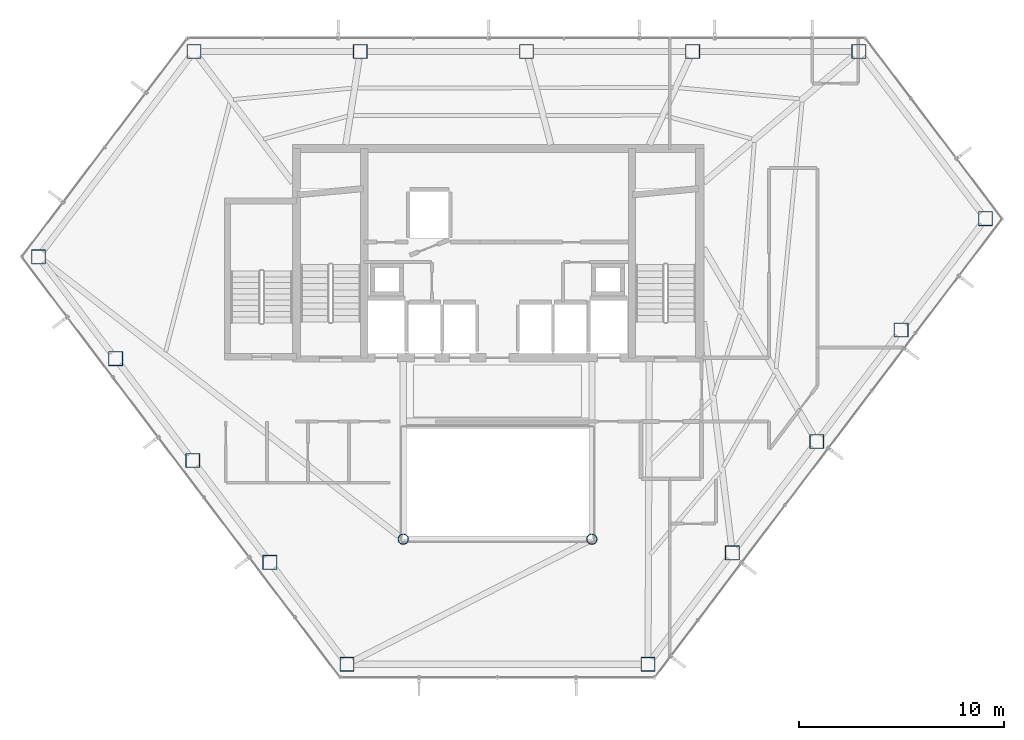
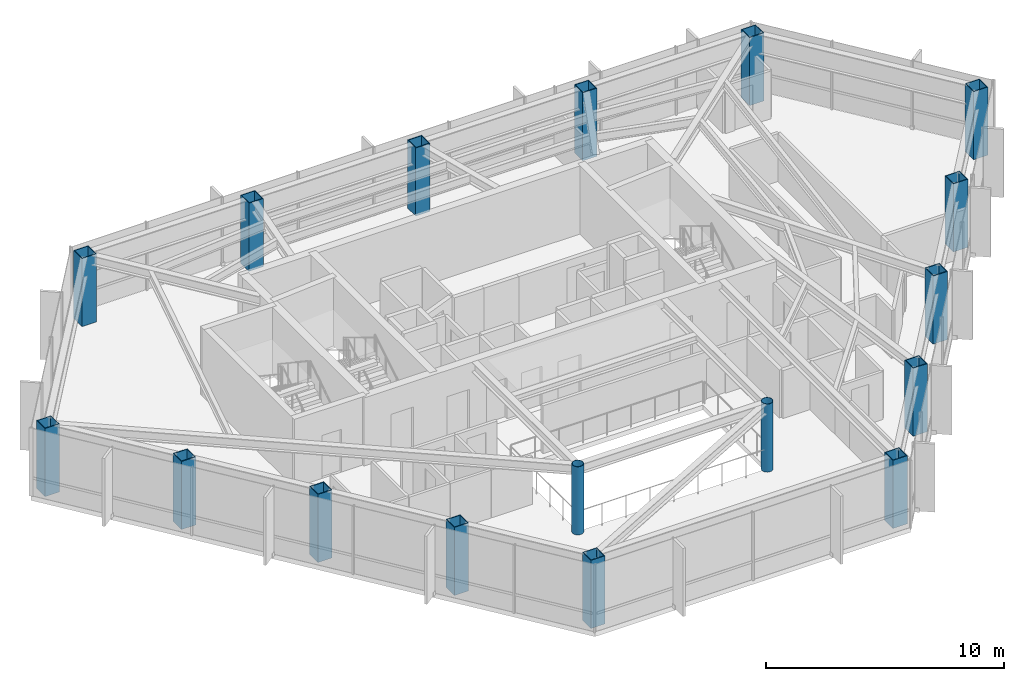
# One storey, part 1 of 28: 17 columns.
"""IFC4 building model written with IfcOpenShell, lengths in metres."""

from ifc_helpers import new_model, si_unit, direction, frame, origin, origin_2d, place, context, subcontext, project, spatial, hollow_rectangle, hollow_circle, extrude, material, material_profile, profile_set, type_object, element, save


model = new_model("IFC4")

# Units and contexts
model_context = context("Model", 3, precision=1e-05, world=origin(), true_north=direction((0.0, 1.0)))
body_context = subcontext(model_context, "Body", "Model", "MODEL_VIEW")
ifc_project = project(units=[si_unit("LENGTHUNIT", "METRE"), si_unit("AREAUNIT", "SQUARE_METRE"), si_unit("VOLUMEUNIT", "CUBIC_METRE"), si_unit("PLANEANGLEUNIT", "RADIAN"), si_unit("MASSUNIT", "GRAM", prefix="KILO")], contexts=[model_context])

# Site, building, storey
site_placement = place(None, origin())
site = spatial("IfcSite", under=ifc_project, at=site_placement, CompositionType="ELEMENT")
building_placement = place(site_placement, origin())
building = spatial("IfcBuilding", under=site, at=building_placement, Name="Zarrinselat Tower", CompositionType="ELEMENT")
storey_placement = place(building_placement, frame((0.0, 0.0, 164.56005859375)))
storey = spatial("IfcBuildingStorey", under=building, at=storey_placement, Name="L40", CompositionType="ELEMENT", Elevation=164.56005859375)

# Columns
ifc_material_1 = material(Name="Steel S355J2", Category="steel")
ifc_material_profile_1 = material_profile(ifc_material_1, hollow_circle(Radius=0.25390625, WallThickness=0.02001953125, at=origin_2d()), Name="CHS 508x20")
ifc_profile_set_1 = profile_set([ifc_material_profile_1], Name="Steel S355J2")
column_type_1 = type_object("IfcColumnType", Name="COL-CHS508", PredefinedType="COLUMN", material=ifc_profile_set_1)
for number, where, z_axis, x_axis, name in (
    (1, (33.800048828125, 24.39990234375, 0.0), (0.0, 0.0, 1.0), (1.0, 0.0, 0.0), "L40 Atrium Corner Column 1"),
    (2, (43.0, 24.39990234375, 0.0), (0.0, 0.0, 1.0), (1.0, 0.0, 0.0), "L40 Atrium Corner Column 2"),
):
    element("IfcColumn", number, at=place(storey_placement, frame(where, z_axis=z_axis, x_axis=x_axis)), inside=storey, type_object=column_type_1, Name=name, PredefinedType="COLUMN", context=body_context, shape_type="SweptSolid", body=[
        extrude(hollow_circle(Radius=0.25390625, WallThickness=0.02001953125, at=origin_2d()), origin(), (0.0, 0.0, 1.0), 3.5),
    ])
ifc_material_2 = material(Name="Steel S355J2", Category="steel")
ifc_material_profile_2 = material_profile(ifc_material_2, hollow_rectangle(XDim=0.699951171875, YDim=0.699951171875, WallThickness=0.034912109375, at=origin_2d()), Name="SHS 700x700x35")
ifc_profile_set_2 = profile_set([ifc_material_profile_2], Name="Steel S355J2")
column_type_2 = type_object("IfcColumnType", Name="COL-SHS700", PredefinedType="COLUMN", material=ifc_profile_set_2)
for number, where, z_axis, x_axis, name in (
    (3, (56.023681640625, 48.18896484375, 0.0), (0.0, 0.0, 1.0), (1.0, 0.0, 0.0), "L40 Framed-Tube Column T01"),
    (4, (47.91748046875, 48.18896484375, 0.0), (0.0, 0.0, 1.0), (1.0, 0.0, 0.0), "L40 Framed-Tube Column T02"),
    (5, (39.81103515625, 48.18896484375, 0.0), (0.0, 0.0, 1.0), (1.0, 0.0, 0.0), "L40 Framed-Tube Column T03"),
    (6, (31.70458984375, 48.18896484375, 0.0), (0.0, 0.0, 1.0), (1.0, 0.0, 0.0), "L40 Framed-Tube Column T04"),
    (7, (23.598388671875, 48.18896484375, 0.0), (0.0, 0.0, 1.0), (1.0, 0.0, 0.0), "L40 Framed-Tube Column T05"),
    (8, (16.00927734375, 38.171142578125, 0.0), (0.0, 0.0, 1.0), (1.0, 0.0, 0.0), "L40 Framed-Tube Column T06"),
    (9, (19.772216796875, 33.2041015625, 0.0), (0.0, 0.0, 1.0), (1.0, 0.0, 0.0), "L40 Framed-Tube Column T07"),
    (10, (23.534912109375, 28.2373046875, 0.0), (0.0, 0.0, 1.0), (1.0, 0.0, 0.0), "L40 Framed-Tube Column T08"),
    (11, (27.2978515625, 23.270263671875, 0.0), (0.0, 0.0, 1.0), (1.0, 0.0, 0.0), "L40 Framed-Tube Column T09"),
    (12, (31.060546875, 18.30322265625, 0.0), (0.0, 0.0, 1.0), (1.0, 0.0, 0.0), "L40 Framed-Tube Column T10"),
    (13, (45.739501953125, 18.30322265625, 0.0), (0.0, 0.0, 1.0), (1.0, 0.0, 0.0), "L40 Framed-Tube Column T11"),
    (14, (49.85498046875, 23.73583984375, 0.0), (0.0, 0.0, 1.0), (1.0, 0.0, 0.0), "L40 Framed-Tube Column T12"),
    (15, (53.970703125, 29.16845703125, 0.0), (0.0, 0.0, 1.0), (1.0, 0.0, 0.0), "L40 Framed-Tube Column T13"),
    (16, (58.086181640625, 34.60107421875, 0.0), (0.0, 0.0, 1.0), (1.0, 0.0, 0.0), "L40 Framed-Tube Column T14"),
    (17, (62.201904296875, 40.03369140625, 0.0), (0.0, 0.0, 1.0), (1.0, 0.0, 0.0), "L40 Framed-Tube Column T15"),
):
    element("IfcColumn", number, at=place(storey_placement, frame(where, z_axis=z_axis, x_axis=x_axis)), inside=storey, type_object=column_type_2, Name=name, PredefinedType="COLUMN", context=body_context, shape_type="SweptSolid", body=[
        extrude(hollow_rectangle(XDim=0.699951171875, YDim=0.699951171875, WallThickness=0.034912109375, at=origin_2d()), origin(), (0.0, 0.0, 1.0), 3.5),
    ])

save(model, "model.ifc")
